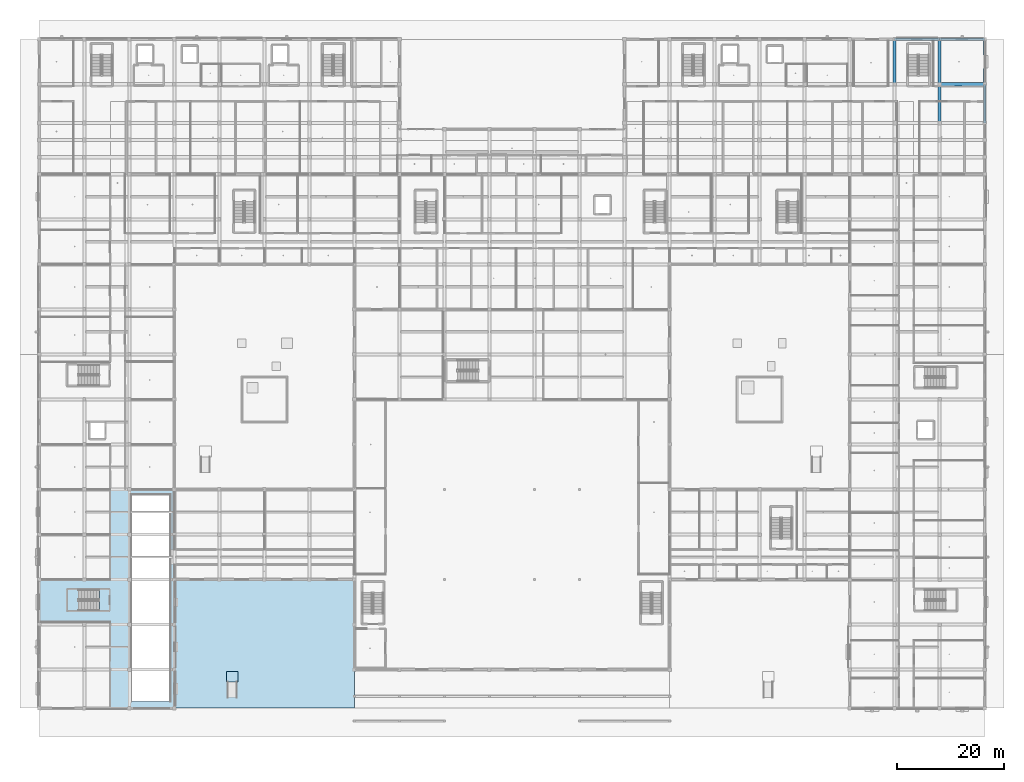
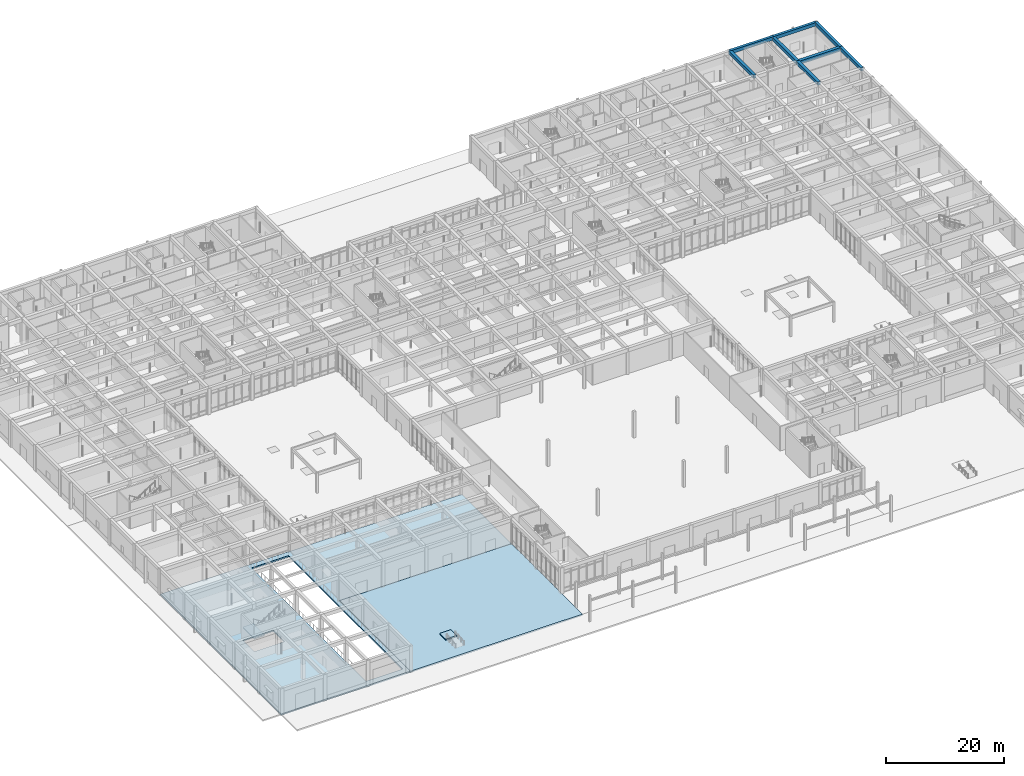
# One storey, part 44 of 167: 8 beams, 4 slabs, 2 elements without a shape of their own.
"""IFC4 building model written with IfcOpenShell, lengths in metres."""

from ifc_helpers import new_model, si_unit, direction, frame, origin, origin_2d, place, context, subcontext, project, spatial, polyline, rectangle, outline, extrude, material, layer, layer_set, material_profile, profile_set, type_object, element, aggregate, save


model = new_model("IFC4")

# Units and contexts
model_context = context("Model", 3, precision=1e-05, world=origin(), true_north=direction((0.0, 1.0)))
body_context = subcontext(model_context, "Body", "Model", "MODEL_VIEW")
ifc_project = project(units=[si_unit("LENGTHUNIT", "METRE"), si_unit("AREAUNIT", "SQUARE_METRE"), si_unit("VOLUMEUNIT", "CUBIC_METRE"), si_unit("PLANEANGLEUNIT", "RADIAN"), si_unit("MASSUNIT", "GRAM", prefix="KILO")], contexts=[model_context])

# Site, building, storey
site_placement = place(None, origin())
site = spatial("IfcSite", under=ifc_project, at=site_placement, CompositionType="ELEMENT")
building_placement = place(site_placement, origin())
building = spatial("IfcBuilding", under=site, at=building_placement, Name="Varncliffe General Hospital", CompositionType="ELEMENT")
storey_placement = place(building_placement, origin())
storey = spatial("IfcBuildingStorey", under=building, at=storey_placement, Name="L00", CompositionType="ELEMENT", Elevation=0.0)

# Beams
ifc_material = material(Name="Concrete C35/45 (CSA A23.1 35 MPa)", Category="concrete")
ifc_material_profile_1 = material_profile(ifc_material, rectangle(XDim=0.60009765625, YDim=0.75, at=origin_2d()), Name="RC 600x750")
ifc_profile_set_1 = profile_set([ifc_material_profile_1], Name="Concrete C35/45 (CSA A23.1 35 MPa)")
beam_type_1 = type_object("IfcBeamType", Name="Beam B23 (Int RC 600x750)", PredefinedType="BEAM", material=ifc_profile_set_1)
beam_1_placement = place(storey_placement, frame((168.0, 116.39990234375, 5.02490234375), z_axis=(1.0, 0.0, 0.0), x_axis=(0.0, 1.0, 0.0)))
element("IfcBeam", 1, at=beam_1_placement, inside=storey, type_object=beam_type_1, Name="L00 Primary Beam B23-242", PredefinedType="BEAM", context=body_context, shape_type="SweptSolid", body=[
    extrude(rectangle(XDim=0.60009765625, YDim=0.75, at=origin_2d()), origin(), (0.0, 0.0, 1.0), 8.39990234375),
])
ifc_material_profile_2 = material_profile(ifc_material, rectangle(XDim=0.550048828125, YDim=0.699951171875, at=origin_2d()), Name="RC 550x700")
ifc_profile_set_2 = profile_set([ifc_material_profile_2], Name="Concrete C35/45 (CSA A23.1 35 MPa)")
beam_type_2 = type_object("IfcBeamType", Name="Beam B35 (Int RC 550x700)", PredefinedType="BEAM", material=ifc_profile_set_2)
beam_2_placement = place(storey_placement, frame((159.60009765625, 116.39990234375, 5.050048828125), z_axis=(0.0, 1.0, 0.0), x_axis=(-1.0, 0.0, 0.0)))
element("IfcBeam", 2, at=beam_2_placement, inside=storey, type_object=beam_type_2, Name="L00 Primary Beam B35-492", PredefinedType="BEAM", context=body_context, shape_type="SweptSolid", body=[
    extrude(rectangle(XDim=0.550048828125, YDim=0.699951171875, at=origin_2d()), origin(), (0.0, 0.0, 1.0), 8.400146484375),
])
beam_3_placement = place(storey_placement, frame((168.0, 109.199951171875, 5.050048828125), z_axis=(0.0, 1.0, 0.0), x_axis=(-1.0, 0.0, 0.0)))
element("IfcBeam", 3, at=beam_3_placement, inside=storey, type_object=beam_type_2, Name="L00 Primary Beam B35-506", PredefinedType="BEAM", context=body_context, shape_type="SweptSolid", body=[
    extrude(rectangle(XDim=0.550048828125, YDim=0.699951171875, at=origin_2d()), origin(), (0.0, 0.0, 1.0), 7.199951171875),
])
beam_4_placement = place(storey_placement, frame((168.0, 116.39990234375, 5.050048828125), z_axis=(0.0, 1.0, 0.0), x_axis=(-1.0, 0.0, 0.0)))
element("IfcBeam", 4, at=beam_4_placement, inside=storey, type_object=beam_type_2, Name="L00 Primary Beam B35-507", PredefinedType="BEAM", context=body_context, shape_type="SweptSolid", body=[
    extrude(rectangle(XDim=0.550048828125, YDim=0.699951171875, at=origin_2d()), origin(), (0.0, 0.0, 1.0), 8.400146484375),
])
ifc_material_profile_3 = material_profile(ifc_material, rectangle(XDim=0.5, YDim=0.699951171875, at=origin_2d()), Name="RC 500x700")
ifc_profile_set_3 = profile_set([ifc_material_profile_3], Name="Concrete C35/45 (CSA A23.1 35 MPa)")
beam_type_3 = type_object("IfcBeamType", Name="Spandrel SP19 (Ext RC 500x700)", PredefinedType="SPANDREL", material=ifc_profile_set_3)
for number, where, z_axis, x_axis, name in (
    (5, (159.60009765625, 124.800048828125, 5.050048828125), (1.0, 0.0, 0.0), (0.0, 1.0, 0.0), "L00 Spandrel Beam SP19-257"),
    (6, (168.0, 124.800048828125, 5.050048828125), (1.0, 0.0, 0.0), (0.0, 1.0, 0.0), "L00 Spandrel Beam SP19-258"),
):
    element("IfcBeam", number, at=place(storey_placement, frame(where, z_axis=z_axis, x_axis=x_axis)), inside=storey, type_object=beam_type_3, Name=name, PredefinedType="SPANDREL", context=body_context, shape_type="SweptSolid", body=[
        extrude(rectangle(XDim=0.5, YDim=0.699951171875, at=origin_2d()), origin(), (0.0, 0.0, 1.0), 8.39990234375),
    ])
beam_5_placement = place(storey_placement, frame((176.39990234375, 109.199951171875, 5.050048828125), z_axis=(0.0, 1.0, 0.0), x_axis=(-1.0, 0.0, 0.0)))
element("IfcBeam", 7, at=beam_5_placement, inside=storey, type_object=beam_type_3, Name="L00 Spandrel Beam SP19-523", PredefinedType="SPANDREL", context=body_context, shape_type="SweptSolid", body=[
    extrude(rectangle(XDim=0.5, YDim=0.699951171875, at=origin_2d()), origin(), (0.0, 0.0, 1.0), 7.199951171875),
])
beam_6_placement = place(storey_placement, frame((176.39990234375, 116.39990234375, 5.050048828125), z_axis=(0.0, 1.0, 0.0), x_axis=(-1.0, 0.0, 0.0)))
element("IfcBeam", 8, at=beam_6_placement, inside=storey, type_object=beam_type_3, Name="L00 Spandrel Beam SP19-524", PredefinedType="SPANDREL", context=body_context, shape_type="SweptSolid", body=[
    extrude(rectangle(XDim=0.5, YDim=0.699951171875, at=origin_2d()), origin(), (0.0, 0.0, 1.0), 8.400146484375),
])

# Ramp, slab
ramp_type = type_object("IfcRampType", Name="Barrier-Free Pedestrian Access Ramp PR23", PredefinedType="STRAIGHT_RUN_RAMP", material=ifc_material)
ramp_placement = place(storey_placement, origin())
ramp = element("IfcRamp", 9, at=ramp_placement, inside=storey, type_object=ramp_type, Name="South-West Forecourt Barrier-Free Ramp", PredefinedType="STRAIGHT_RUN_RAMP")
ifc_layer_1 = layer(ifc_material, 0.239990234375)
ifc_layer_set_1 = layer_set([ifc_layer_1], Name="Concrete C35/45 (CSA A23.1 35 MPa)")
slab_type_1 = type_object("IfcSlabType", Name="Accessible Threshold Landing Slab PLZ32 (240mm)", PredefinedType="LANDING", material=ifc_layer_set_1)
slab_1_placement = place(storey_placement, origin())
slab_1 = element("IfcSlab", 10, at=slab_1_placement, type_object=slab_type_1, Name="South-West Forecourt Barrier-Free Ramp Top Landing Plinth", PredefinedType="LANDING", context=body_context, shape_type="SweptSolid", body=[
    extrude(outline(polyline([(34.89990234375, 4.8798828125), (37.10009765625, 4.8798828125), (37.10009765625, 6.8798828125), (34.89990234375, 6.8798828125), (34.89990234375, 4.8798828125)])), origin(), (0.0, 0.0, 1.0), 0.239990234375),
])
aggregate(ramp, [slab_1])

# Slabs
ifc_layer_2 = layer(ifc_material, 0.300048828125)
ifc_layer_set_2 = layer_set([ifc_layer_2], Name="Concrete C35/45 (CSA A23.1 35 MPa)")
slab_type_2 = type_object("IfcSlabType", Name="Floor Slab SL54 (Ext 300mm)", PredefinedType="FLOOR", material=ifc_layer_set_2)
slab_2_placement = place(storey_placement, frame((0.0, 0.0, -0.300048828125)))
element("IfcSlab", 11, at=slab_2_placement, inside=storey, type_object=slab_type_2, Name="L00 South-West Forecourt Arrival Plaza", PredefinedType="FLOOR", context=body_context, shape_type="SweptSolid", body=[
    extrude(outline(polyline([(25.199951171875, 0.0), (58.800048828125, 0.0), (58.800048828125, 24.0), (25.199951171875, 24.0), (25.199951171875, 0.0)])), origin(), (0.0, 0.0, 1.0), 0.300048828125),
])
ifc_layer_3 = layer(ifc_material, 0.300048828125)
ifc_layer_set_3 = layer_set([ifc_layer_3], Name="Concrete C35/45 (CSA A23.1 35 MPa)")
slab_type_3 = type_object("IfcSlabType", Name="Floor Slab SL56 (Int 300mm)", PredefinedType="FLOOR", material=ifc_layer_set_3)
slab_3_placement = place(storey_placement, frame((0.0, 0.0, -0.300048828125)))
element("IfcSlab", 12, at=slab_3_placement, inside=storey, type_object=slab_type_3, Name="L00 V2 Structural Floor Slab 1", PredefinedType="FLOOR", context=body_context, shape_type="SweptSolid", body=[
    extrude(outline(polyline([(25.199951171875, 0.0), (0.0, 0.0), (0.0, 40.800048828125), (25.199951171875, 40.800048828125), (58.800048828125, 40.800048828125), (58.800048828125, 24.0), (25.199951171875, 24.0), (25.199951171875, 0.0)]), holes=[polyline([(11.199951171875, 22.10009765625), (5.25, 22.10009765625), (5.25, 18.199951171875), (11.199951171875, 18.199951171875), (11.199951171875, 22.10009765625)]), polyline([(17.199951171875, 1.199951171875), (24.39990234375, 1.199951171875), (24.39990234375, 39.800048828125), (17.199951171875, 39.800048828125), (17.199951171875, 1.199951171875)])]), origin(), (0.0, 0.0, 1.0), 0.300048828125),
])

# Stair, slab
stair_type = type_object("IfcStairType", Name="Hospital Stair Assembly ST-T02 (1850w-5400h)", PredefinedType="TWO_STRAIGHT_RUN_STAIR", material=ifc_material)
stair_placement = place(storey_placement, origin())
stair = element("IfcStair", 13, at=stair_placement, inside=storey, type_object=stair_type, Name="L00 Emergency South-West Exit Stair 8", PredefinedType="TWO_STRAIGHT_RUN_STAIR")
ifc_layer_4 = layer(ifc_material, 0.199951171875)
ifc_layer_set_4 = layer_set([ifc_layer_4], Name="Concrete C35/45 (CSA A23.1 35 MPa)")
slab_type_4 = type_object("IfcSlabType", Name="Reinforced Concrete Stair Landing LND50 (200mm)", PredefinedType="LANDING", material=ifc_layer_set_4)
slab_4_placement = place(storey_placement, frame((0.0, 0.0, 2.5)))
slab_4 = element("IfcSlab", 14, at=slab_4_placement, type_object=slab_type_4, Name="ST08 landing 1", PredefinedType="LANDING", context=body_context, shape_type="SweptSolid", body=[
    extrude(outline(polyline([(7.280029296875, 22.10009765625), (5.25, 22.10009765625), (5.25, 18.199951171875), (7.280029296875, 18.199951171875), (7.280029296875, 22.10009765625)])), origin(), (0.0, 0.0, 1.0), 0.199951171875),
])
aggregate(stair, [slab_4])

save(model, "model.ifc")
